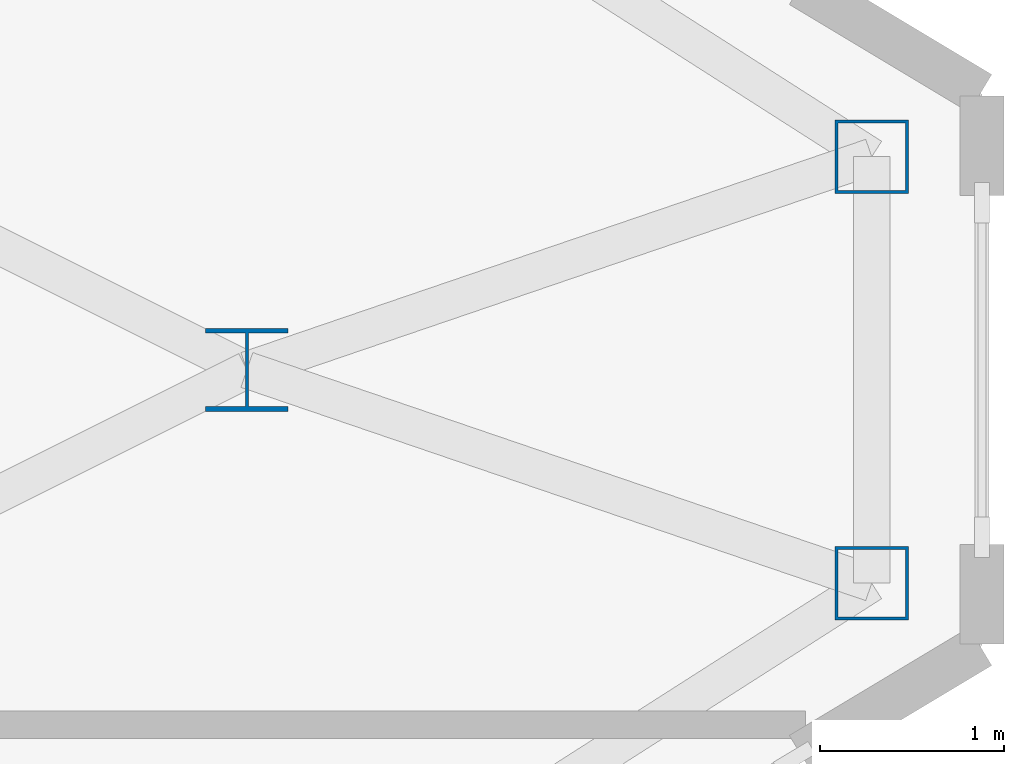
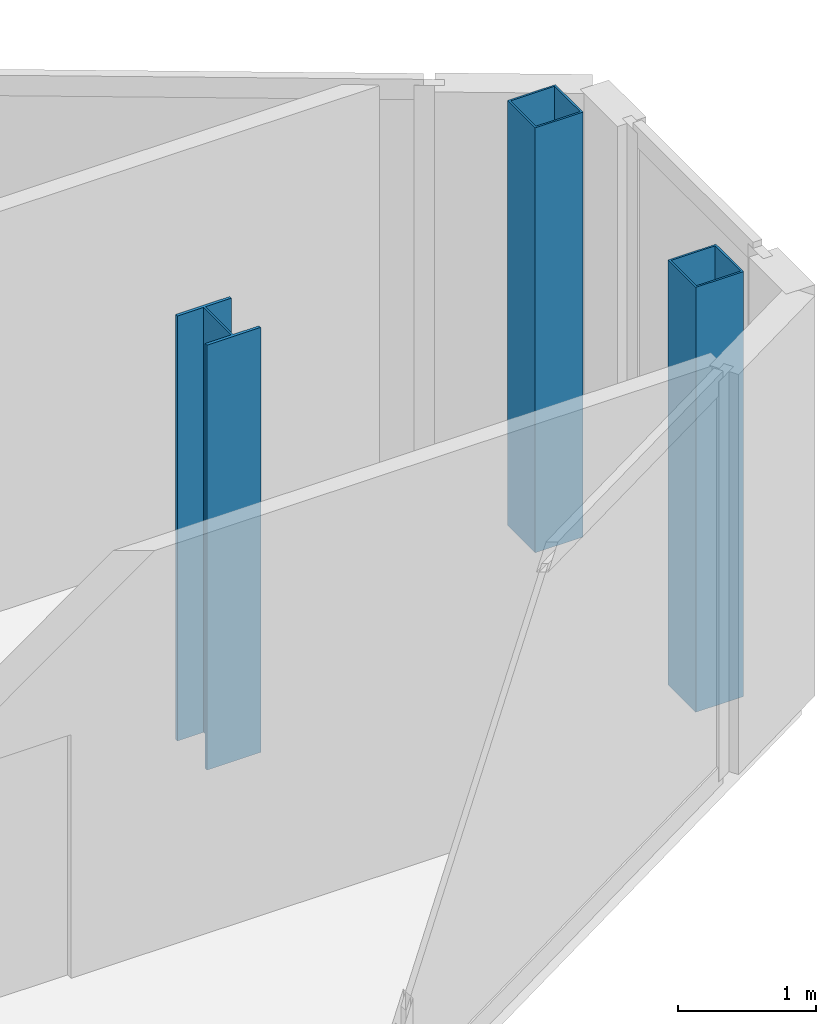
# One storey, part 7 of 29: 3 columns.
"""IFC4 building model written with IfcOpenShell, lengths in metres."""

from ifc_helpers import new_model, si_unit, direction, frame, origin, origin_2d, place, context, subcontext, project, spatial, hollow_rectangle, i_section, extrude, source, transform, mapped, material, material_profile, profile_set, type_object, type_shapes, element, save


model = new_model("IFC4")

# Units and contexts
model_context = context("Model", 3, precision=1e-05, world=origin(), true_north=direction((0.0, 1.0)))
body_context = subcontext(model_context, "Body", "Model", "MODEL_VIEW")
ifc_project = project(units=[si_unit("LENGTHUNIT", "METRE"), si_unit("AREAUNIT", "SQUARE_METRE"), si_unit("VOLUMEUNIT", "CUBIC_METRE"), si_unit("PLANEANGLEUNIT", "RADIAN"), si_unit("MASSUNIT", "GRAM", prefix="KILO")], contexts=[model_context])

# Site, building, storey
site_placement = place(None, origin())
site = spatial("IfcSite", under=ifc_project, at=site_placement, CompositionType="ELEMENT")
building_placement = place(site_placement, origin())
building = spatial("IfcBuilding", under=site, at=building_placement, Name="Seokmaru Belvedere", CompositionType="ELEMENT")
storey_placement = place(building_placement, frame((0.0, 0.0, 243.14990234375)))
storey = spatial("IfcBuildingStorey", under=building, at=storey_placement, Name="L64", CompositionType="ELEMENT", Elevation=243.14990234375)

# Columns
ifc_material = material(Name="Steel SM355 (355 MPa)", Category="steel")
ifc_material_profile_1 = material_profile(ifc_material, i_section(OverallWidth=0.449951171875, OverallDepth=0.449951171875, WebThickness=0.01611328125, FlangeThickness=0.02490234375, at=origin_2d()), Name="H-450x450x16x25")
ifc_profile_set_1 = profile_set([ifc_material_profile_1], Name="Steel SM355 (355 MPa)")
column_type_1 = type_object("IfcColumnType", Name="Sky-Gate Column H-450", PredefinedType="COLUMN", material=ifc_profile_set_1)
shared_shape_1 = source(origin(), body_context, "Body", "SweptSolid", [
    extrude(i_section(OverallWidth=0.449951171875, OverallDepth=0.449951171875, WebThickness=0.01611328125, FlangeThickness=0.02490234375, at=origin_2d()), origin(), (0.0, 0.0, 1.0), 3.75),
])
type_shapes(column_type_1, [shared_shape_1])
column_placement = place(storey_placement, frame((63.5, 0.0, 0.0), z_axis=(0.0, 0.0, 1.0), x_axis=(1.0, 0.0, 0.0)))
element("IfcColumn", 1, at=column_placement, inside=storey, type_object=column_type_1, Name="L64 Column EG3P_1", PredefinedType="COLUMN", context=body_context, shape_type="MappedRepresentation", body=[
    mapped(shared_shape_1, transform((0.0, 0.0, 0.0), scale=1.0)),
])
ifc_material_profile_2 = material_profile(ifc_material, hollow_rectangle(XDim=0.39990234375, YDim=0.39990234375, WallThickness=0.01611328125, at=origin_2d()), Name="HSS-400x400x16")
ifc_profile_set_2 = profile_set([ifc_material_profile_2], Name="Steel SM355 (355 MPa)")
column_type_2 = type_object("IfcColumnType", Name="Perimeter Facet Column HSS-400", PredefinedType="COLUMN", material=ifc_profile_set_2)
shared_shape_2 = source(origin(), body_context, "Body", "SweptSolid", [
    extrude(hollow_rectangle(XDim=0.39990234375, YDim=0.39990234375, WallThickness=0.01611328125, at=origin_2d()), origin(), (0.0, 0.0, 1.0), 3.75),
])
type_shapes(column_type_2, [shared_shape_2])
for number, where, z_axis, x_axis, name in (
    (2, (66.89990234375, -1.160400390625, 0.0), (0.0, 0.0, 1.0), (1.0, 0.0, 0.0), "L64 Column EF2"),
    (3, (66.89990234375, 1.160400390625, 0.0), (0.0, 0.0, 1.0), (1.0, 0.0, 0.0), "L64 Column EF3"),
):
    element("IfcColumn", number, at=place(storey_placement, frame(where, z_axis=z_axis, x_axis=x_axis)), inside=storey, type_object=column_type_2, Name=name, PredefinedType="COLUMN", context=body_context, shape_type="MappedRepresentation", body=[
        mapped(shared_shape_2, transform((0.0, 0.0, 0.0), scale=1.0)),
    ])

save(model, "model.ifc")
